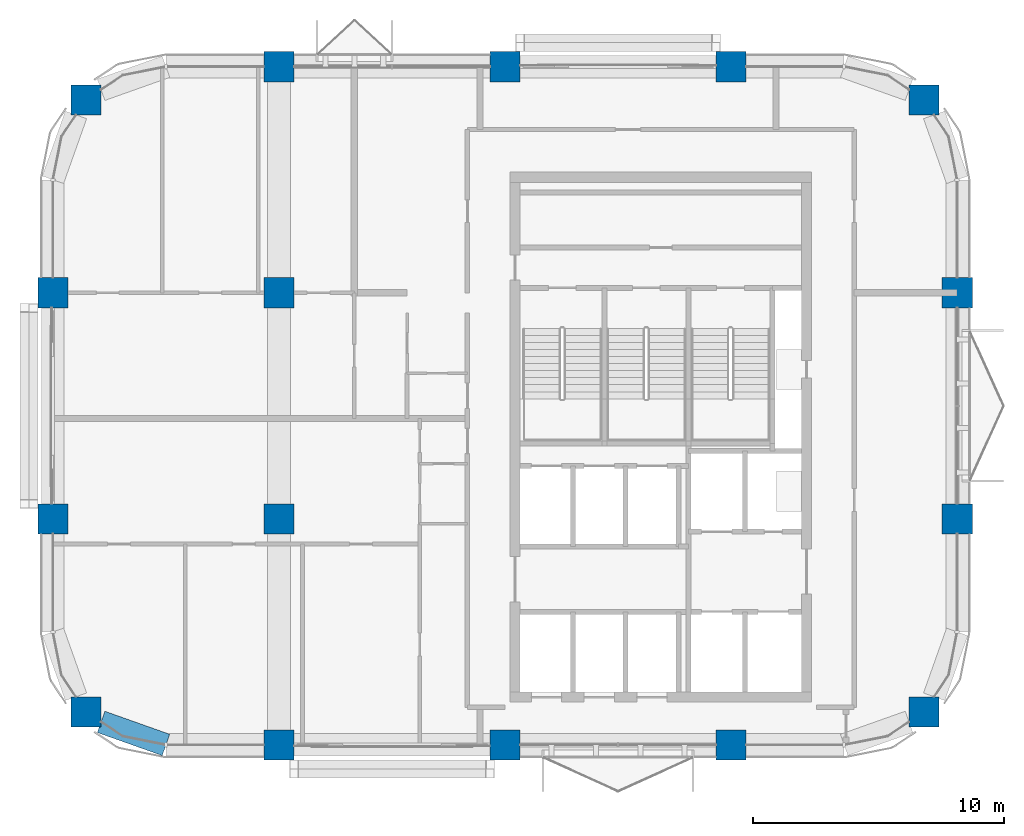
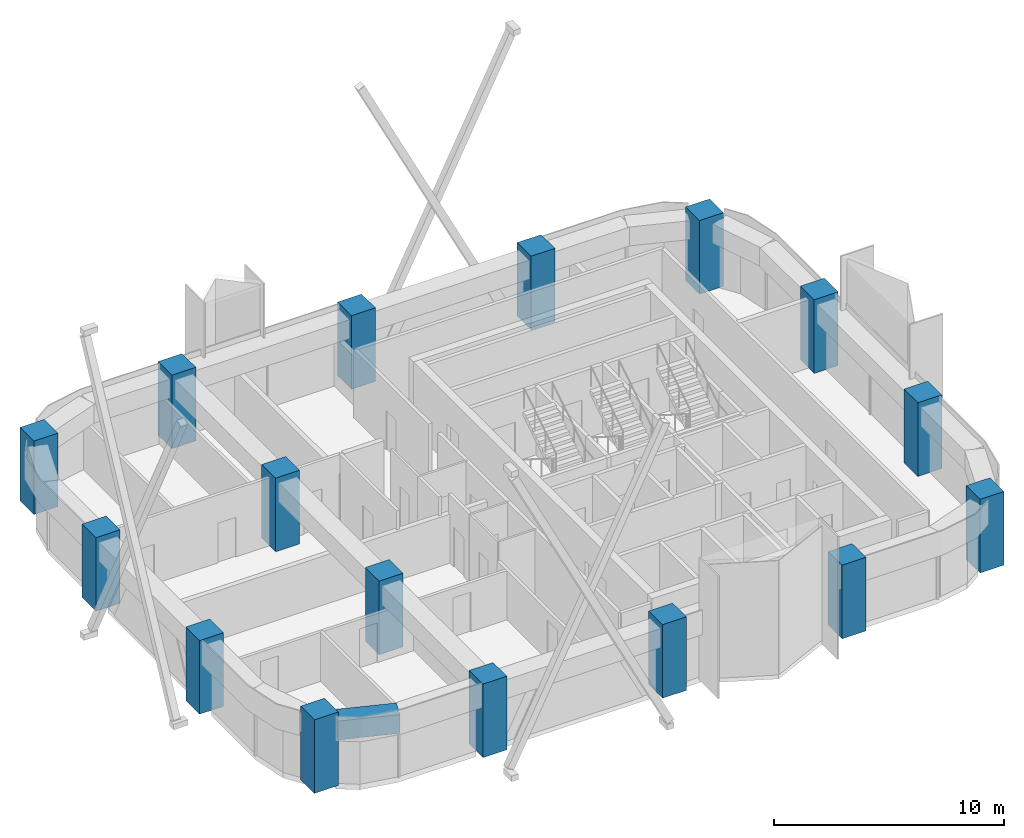
# One storey, part 1 of 11: 16 columns, 1 beam.
"""IFC4 building model written with IfcOpenShell, lengths in metres."""

from ifc_helpers import new_model, si_unit, direction, frame, origin, origin_2d, place, context, subcontext, project, spatial, rectangle, extrude, material, material_profile, profile_set, type_object, element, save


model = new_model("IFC4")

# Units and contexts
model_context = context("Model", 3, precision=1e-05, world=origin(), true_north=direction((0.0, 1.0)))
body_context = subcontext(model_context, "Body", "Model", "MODEL_VIEW")
ifc_project = project(units=[si_unit("LENGTHUNIT", "METRE"), si_unit("AREAUNIT", "SQUARE_METRE"), si_unit("VOLUMEUNIT", "CUBIC_METRE"), si_unit("PLANEANGLEUNIT", "RADIAN"), si_unit("MASSUNIT", "GRAM", prefix="KILO")], contexts=[model_context])

# Site, building, storey
site_placement = place(None, origin())
site = spatial("IfcSite", under=ifc_project, at=site_placement, CompositionType="ELEMENT")
building_placement = place(site_placement, origin())
building = spatial("IfcBuilding", under=site, at=building_placement, Name="Tessera Arch", CompositionType="ELEMENT")
storey_placement = place(building_placement, frame((0.0, 0.0, 250.10009765625)))
storey = spatial("IfcBuildingStorey", under=building, at=storey_placement, Name="L60", CompositionType="ELEMENT", Elevation=250.10009765625)

# Columns
ifc_material_1 = material(Name="Concrete C60/75", Category="concrete")
ifc_material_profile_1 = material_profile(ifc_material_1, rectangle(XDim=1.199951171875, YDim=1.199951171875, at=origin_2d()), Name="RC column 1200 x 1200 Concrete C60/75")
ifc_profile_set_1 = profile_set([ifc_material_profile_1], Name="Concrete C60/75")
column_type = type_object("IfcColumnType", Name="RC column 1200 x 1200 Concrete C60/75", PredefinedType="COLUMN", material=ifc_profile_set_1)
for number, where, z_axis, x_axis, name in (
    (1, (19.318115234375, 28.318115234375, 0.0), (0.0, 0.0, 1.0), (1.0, 0.0, 0.0), "Column C3D L60"),
    (2, (18.0, 36.0, 0.0), (0.0, 0.0, 1.0), (1.0, 0.0, 0.0), "Column C3E L60"),
    (3, (18.0, 45.0, 0.0), (0.0, 0.0, 1.0), (1.0, 0.0, 0.0), "Column C3F L60"),
    (4, (19.318115234375, 52.681884765625, 0.0), (0.0, 0.0, 1.0), (1.0, 0.0, 0.0), "Column C3G L60"),
    (5, (27.0, 27.0, 0.0), (0.0, 0.0, 1.0), (1.0, 0.0, 0.0), "Column C4D L60"),
    (6, (27.0, 36.0, 0.0), (0.0, 0.0, 1.0), (1.0, 0.0, 0.0), "Column C4E L60"),
    (7, (27.0, 45.0, 0.0), (0.0, 0.0, 1.0), (1.0, 0.0, 0.0), "Column C4F L60"),
    (8, (27.0, 54.0, 0.0), (0.0, 0.0, 1.0), (1.0, 0.0, 0.0), "Column C4G L60"),
    (9, (36.0, 27.0, 0.0), (0.0, 0.0, 1.0), (1.0, 0.0, 0.0), "Column C5D L60"),
    (10, (36.0, 54.0, 0.0), (0.0, 0.0, 1.0), (1.0, 0.0, 0.0), "Column C5G L60"),
    (11, (45.0, 27.0, 0.0), (0.0, 0.0, 1.0), (1.0, 0.0, 0.0), "Column C6D L60"),
    (12, (45.0, 54.0, 0.0), (0.0, 0.0, 1.0), (1.0, 0.0, 0.0), "Column C6G L60"),
    (13, (52.681884765625, 28.318115234375, 0.0), (0.0, 0.0, 1.0), (1.0, 0.0, 0.0), "Column C7D L60"),
    (14, (54.0, 36.0, 0.0), (0.0, 0.0, 1.0), (1.0, 0.0, 0.0), "Column C7E L60"),
    (15, (54.0, 45.0, 0.0), (0.0, 0.0, 1.0), (1.0, 0.0, 0.0), "Column C7F L60"),
    (16, (52.681884765625, 52.681884765625, 0.0), (0.0, 0.0, 1.0), (1.0, 0.0, 0.0), "Column C7G L60"),
):
    element("IfcColumn", number, at=place(storey_placement, frame(where, z_axis=z_axis, x_axis=x_axis)), inside=storey, type_object=column_type, Name=name, PredefinedType="COLUMN", context=body_context, shape_type="SweptSolid", body=[
        extrude(rectangle(XDim=1.199951171875, YDim=1.199951171875, at=origin_2d()), origin(), (0.0, 0.0, 1.0), 3.89990234375),
    ])

# Beam
ifc_material_2 = material(Name="Concrete C60/75", Category="concrete")
ifc_material_profile_2 = material_profile(ifc_material_2, rectangle(XDim=0.89990234375, YDim=1.0, at=origin_2d()), Name="RC spandrel beam 900 x 1000 Concrete C60/75")
ifc_profile_set_2 = profile_set([ifc_material_profile_2], Name="Concrete C60/75")
beam_type = type_object("IfcBeamType", Name="RC spandrel beam 900 x 1000 Concrete C60/75", PredefinedType="BEAM", material=ifc_profile_set_2)
beam_placement = place(storey_placement, frame((19.91796875, 27.9169921875, 3.099853515625), z_axis=(0.942337127159, -0.334665114373, 0.0), x_axis=(0.334665114373, 0.942337127159, 0.0)))
element("IfcBeam", 17, at=beam_placement, inside=storey, type_object=beam_type, Name="Spandrel beam L60 S27.18/0.1", PredefinedType="BEAM", context=body_context, shape_type="SweptSolid", body=[
    extrude(rectangle(XDim=0.89990234375, YDim=1.0, at=origin_2d()), origin(), (0.0, 0.0, 1.0), 2.739990234375),
])

save(model, "model.ifc")
